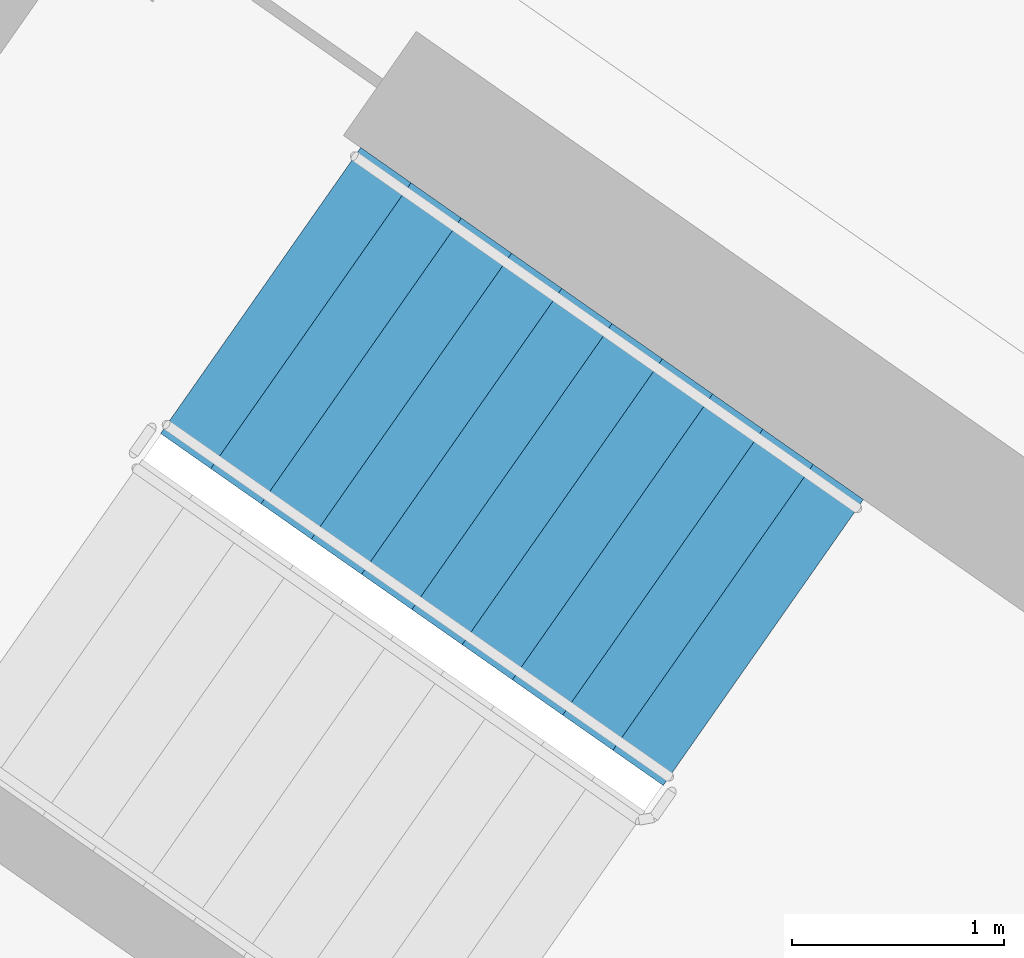
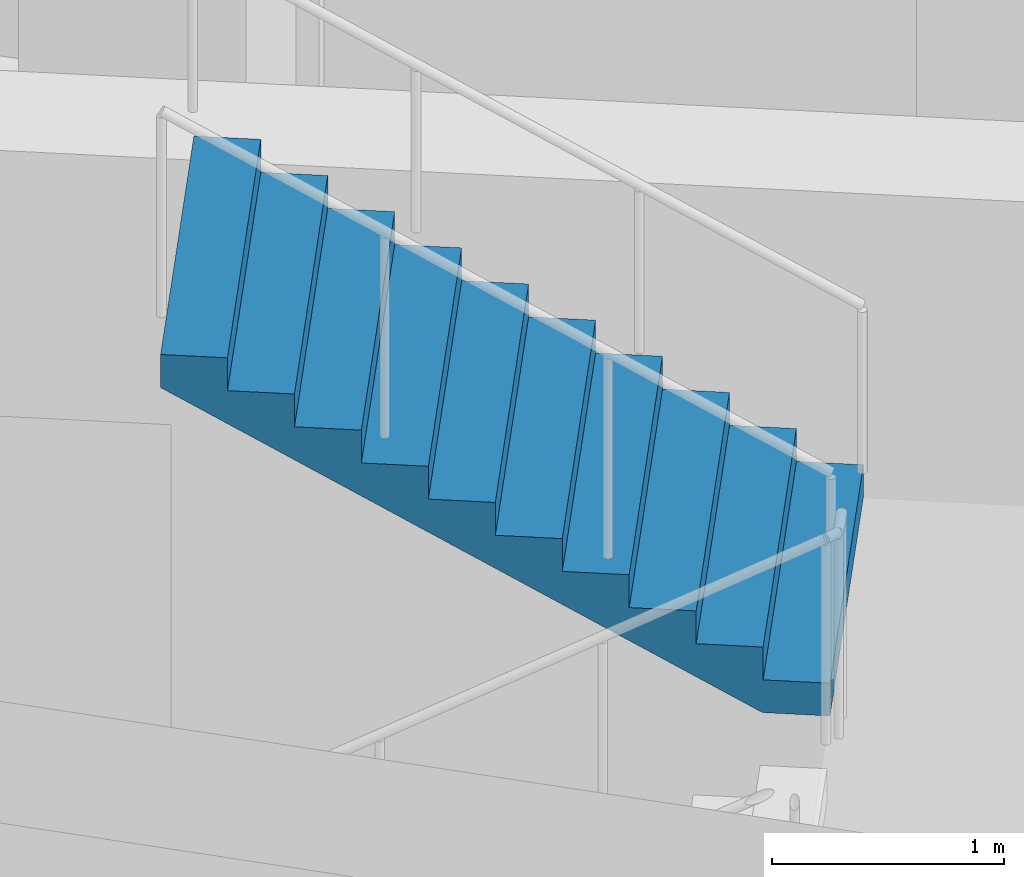
# One storey, part 13 of 28: 1 stair flight, 1 element without a shape of its own.
"""IFC4 building model written with IfcOpenShell, lengths in metres."""

from ifc_helpers import new_model, si_unit, direction, frame, origin, place, context, subcontext, project, spatial, faceted_brep, material, type_object, element, aggregate, save


model = new_model("IFC4")

# Units and contexts
model_context = context("Model", 3, precision=1e-05, world=origin(), true_north=direction((0.0, 1.0)))
body_context = subcontext(model_context, "Body", "Model", "MODEL_VIEW")
ifc_project = project(units=[si_unit("LENGTHUNIT", "METRE"), si_unit("AREAUNIT", "SQUARE_METRE"), si_unit("VOLUMEUNIT", "CUBIC_METRE"), si_unit("PLANEANGLEUNIT", "RADIAN"), si_unit("MASSUNIT", "GRAM", prefix="KILO")], contexts=[model_context])

# Site, building, storey
site_placement = place(None, origin())
site = spatial("IfcSite", under=ifc_project, at=site_placement, CompositionType="ELEMENT")
building_placement = place(site_placement, origin())
building = spatial("IfcBuilding", under=site, at=building_placement, Name="Qamariyya Broadcast Tower", CompositionType="ELEMENT")
storey_placement = place(building_placement, frame((0.0, 0.0, 215.10009765625)))
storey = spatial("IfcBuildingStorey", under=building, at=storey_placement, Name="L51", CompositionType="ELEMENT", Elevation=215.10009765625)

# Stair, stair flight
ifc_material = material(Name="Concrete C50/60", Category="concrete")
stair_type = type_object("IfcStairType", Name="Exit stair 22 risers of 173 mm", PredefinedType="HALF_TURN_STAIR", material=ifc_material)
stair_placement = place(storey_placement, origin())
stair = element("IfcStair", 1, at=stair_placement, inside=storey, type_object=stair_type, Name="L51 Stair W2", PredefinedType="HALF_TURN_STAIR")
stair_flight_type = type_object("IfcStairFlightType", Name="Exit stair flight 11 risers of 173 mm", PredefinedType="STRAIGHT", material=ifc_material)
stair_flight_placement = place(storey_placement, frame((-38.18310546875, -49.3486328125, 1.89990234375), z_axis=(0.0, 0.0, 1.0), x_axis=(-0.819152044289, 0.573576436351, 0.0)))
stair_flight = element("IfcStairFlight", 2, at=stair_flight_placement, type_object=stair_flight_type, Name="ST-W2 flight 2", NumberOfRisers=11, NumberOfTreads=10, PredefinedType="STRAIGHT", RiserHeight=0.172727273, TreadLength=0.29, context=body_context, shape_type="Brep", body=[
    faceted_brep([(0.0, 0.824951171875, 0.0), (0.0, 0.824951171875, 0.172607421875), (0.2900390625, 0.824951171875, 0.172607421875), (0.2900390625, 0.824951171875, 0.345458984375), (0.580078125, 0.824951171875, 0.345458984375), (0.580078125, 0.824951171875, 0.51806640625), (0.8701171875, 0.824951171875, 0.51806640625), (0.8701171875, 0.824951171875, 0.69091796875), (1.159912109375, 0.824951171875, 0.69091796875), (1.159912109375, 0.824951171875, 0.863525390625), (1.449951171875, 0.824951171875, 0.863525390625), (1.449951171875, 0.824951171875, 1.036376953125), (1.739990234375, 0.824951171875, 1.036376953125), (1.739990234375, 0.824951171875, 1.208984375), (2.030029296875, 0.824951171875, 1.208984375), (2.030029296875, 0.824951171875, 1.3818359375), (2.320068359375, 0.824951171875, 1.3818359375), (2.320068359375, 0.824951171875, 1.554443359375), (2.610107421875, 0.824951171875, 1.554443359375), (2.610107421875, 0.824951171875, 1.727294921875), (2.89990234375, 0.824951171875, 1.727294921875), (2.89990234375, 0.824951171875, 1.552734375), (0.29296875, 0.824951171875, 0.0), (0.29296875, -0.824951171875, 0.0), (2.89990234375, -0.824951171875, 1.552734375), (2.89990234375, -0.824951171875, 1.727294921875), (2.610107421875, -0.824951171875, 1.727294921875), (2.610107421875, -0.824951171875, 1.554443359375), (2.320068359375, -0.824951171875, 1.554443359375), (2.320068359375, -0.824951171875, 1.3818359375), (2.030029296875, -0.824951171875, 1.3818359375), (2.030029296875, -0.824951171875, 1.208984375), (1.739990234375, -0.824951171875, 1.208984375), (1.739990234375, -0.824951171875, 1.036376953125), (1.449951171875, -0.824951171875, 1.036376953125), (1.449951171875, -0.824951171875, 0.863525390625), (1.159912109375, -0.824951171875, 0.863525390625), (1.159912109375, -0.824951171875, 0.69091796875), (0.8701171875, -0.824951171875, 0.69091796875), (0.8701171875, -0.824951171875, 0.51806640625), (0.580078125, -0.824951171875, 0.51806640625), (0.580078125, -0.824951171875, 0.345458984375), (0.2900390625, -0.824951171875, 0.345458984375), (0.2900390625, -0.824951171875, 0.172607421875), (0.0, -0.824951171875, 0.172607421875), (0.0, -0.824951171875, 0.0), (0.0, 0.10009765625, 0.0), (0.0, 0.086669921875, 0.0), (0.0, 0.0732421875, 0.0), (0.0, 0.06005859375, 0.0), (0.0, 0.046630859375, 0.0), (0.0, 0.033447265625, 0.0), (0.0, 0.02001953125, 0.0), (0.0, 0.006591796875, 0.0), (0.0, -0.006591796875, 0.0), (0.0, -0.02001953125, 0.0), (0.0, -0.033447265625, 0.0), (0.0, -0.046630859375, 0.0), (0.0, -0.06005859375, 0.0), (0.0, -0.0732421875, 0.0), (0.0, -0.086669921875, 0.0), (0.0, -0.10009765625, 0.0), (0.0, -0.10009765625, 0.172607421875), (0.0, -0.086669921875, 0.172607421875), (0.0, -0.0732421875, 0.172607421875), (0.0, -0.06005859375, 0.172607421875), (0.0, -0.046630859375, 0.172607421875), (0.0, -0.033447265625, 0.172607421875), (0.0, -0.02001953125, 0.172607421875), (0.0, -0.006591796875, 0.172607421875), (0.0, 0.006591796875, 0.172607421875), (0.0, 0.02001953125, 0.172607421875), (0.0, 0.033447265625, 0.172607421875), (0.0, 0.046630859375, 0.172607421875), (0.0, 0.06005859375, 0.172607421875), (0.0, 0.0732421875, 0.172607421875), (0.0, 0.086669921875, 0.172607421875), (0.0, 0.10009765625, 0.172607421875), (0.2900390625, -0.10009765625, 0.172607421875), (0.2900390625, -0.086669921875, 0.172607421875), (0.2900390625, -0.0732421875, 0.172607421875), (0.2900390625, -0.06005859375, 0.172607421875), (0.2900390625, -0.046630859375, 0.172607421875), (0.2900390625, -0.033447265625, 0.172607421875), (0.2900390625, -0.02001953125, 0.172607421875), (0.2900390625, -0.006591796875, 0.172607421875), (0.2900390625, 0.006591796875, 0.172607421875), (0.2900390625, 0.02001953125, 0.172607421875), (0.2900390625, 0.033447265625, 0.172607421875), (0.2900390625, 0.046630859375, 0.172607421875), (0.2900390625, 0.06005859375, 0.172607421875), (0.2900390625, 0.0732421875, 0.172607421875), (0.2900390625, 0.086669921875, 0.172607421875), (0.2900390625, 0.10009765625, 0.172607421875), (0.2900390625, -0.10009765625, 0.345458984375), (0.2900390625, -0.086669921875, 0.345458984375), (0.2900390625, -0.0732421875, 0.345458984375), (0.2900390625, -0.06005859375, 0.345458984375), (0.2900390625, -0.046630859375, 0.345458984375), (0.2900390625, -0.033447265625, 0.345458984375), (0.2900390625, -0.02001953125, 0.345458984375), (0.2900390625, -0.006591796875, 0.345458984375), (0.2900390625, 0.006591796875, 0.345458984375), (0.2900390625, 0.02001953125, 0.345458984375), (0.2900390625, 0.033447265625, 0.345458984375), (0.2900390625, 0.046630859375, 0.345458984375), (0.2900390625, 0.06005859375, 0.345458984375), (0.2900390625, 0.0732421875, 0.345458984375), (0.2900390625, 0.086669921875, 0.345458984375), (0.2900390625, 0.10009765625, 0.345458984375), (0.580078125, -0.10009765625, 0.345458984375), (0.580078125, -0.086669921875, 0.345458984375), (0.580078125, -0.0732421875, 0.345458984375), (0.580078125, -0.06005859375, 0.345458984375), (0.580078125, -0.046630859375, 0.345458984375), (0.580078125, -0.033447265625, 0.345458984375), (0.580078125, -0.02001953125, 0.345458984375), (0.580078125, -0.006591796875, 0.345458984375), (0.580078125, 0.006591796875, 0.345458984375), (0.580078125, 0.02001953125, 0.345458984375), (0.580078125, 0.033447265625, 0.345458984375), (0.580078125, 0.046630859375, 0.345458984375), (0.580078125, 0.06005859375, 0.345458984375), (0.580078125, 0.0732421875, 0.345458984375), (0.580078125, 0.086669921875, 0.345458984375), (0.580078125, 0.10009765625, 0.345458984375), (0.580078125, -0.10009765625, 0.51806640625), (0.580078125, -0.086669921875, 0.51806640625), (0.580078125, -0.0732421875, 0.51806640625), (0.580078125, -0.06005859375, 0.51806640625), (0.580078125, -0.046630859375, 0.51806640625), (0.580078125, -0.033447265625, 0.51806640625), (0.580078125, -0.02001953125, 0.51806640625), (0.580078125, -0.006591796875, 0.51806640625), (0.580078125, 0.006591796875, 0.51806640625), (0.580078125, 0.02001953125, 0.51806640625), (0.580078125, 0.033447265625, 0.51806640625), (0.580078125, 0.046630859375, 0.51806640625), (0.580078125, 0.06005859375, 0.51806640625), (0.580078125, 0.0732421875, 0.51806640625), (0.580078125, 0.086669921875, 0.51806640625), (0.580078125, 0.10009765625, 0.51806640625), (0.8701171875, -0.10009765625, 0.51806640625), (0.8701171875, -0.086669921875, 0.51806640625), (0.8701171875, -0.0732421875, 0.51806640625), (0.8701171875, -0.06005859375, 0.51806640625), (0.8701171875, -0.046630859375, 0.51806640625), (0.8701171875, -0.033447265625, 0.51806640625), (0.8701171875, -0.02001953125, 0.51806640625), (0.8701171875, -0.006591796875, 0.51806640625), (0.8701171875, 0.006591796875, 0.51806640625), (0.8701171875, 0.02001953125, 0.51806640625), (0.8701171875, 0.033447265625, 0.51806640625), (0.8701171875, 0.046630859375, 0.51806640625), (0.8701171875, 0.06005859375, 0.51806640625), (0.8701171875, 0.0732421875, 0.51806640625), (0.8701171875, 0.086669921875, 0.51806640625), (0.8701171875, 0.10009765625, 0.51806640625), (0.8701171875, -0.10009765625, 0.69091796875), (0.8701171875, -0.086669921875, 0.69091796875), (0.8701171875, -0.0732421875, 0.69091796875), (0.8701171875, -0.06005859375, 0.69091796875), (0.8701171875, -0.046630859375, 0.69091796875), (0.8701171875, -0.033447265625, 0.69091796875), (0.8701171875, -0.02001953125, 0.69091796875), (0.8701171875, -0.006591796875, 0.69091796875), (0.8701171875, 0.006591796875, 0.69091796875), (0.8701171875, 0.02001953125, 0.69091796875), (0.8701171875, 0.033447265625, 0.69091796875), (0.8701171875, 0.046630859375, 0.69091796875), (0.8701171875, 0.06005859375, 0.69091796875), (0.8701171875, 0.0732421875, 0.69091796875), (0.8701171875, 0.086669921875, 0.69091796875), (0.8701171875, 0.10009765625, 0.69091796875), (1.159912109375, -0.10009765625, 0.69091796875), (1.159912109375, -0.086669921875, 0.69091796875), (1.159912109375, -0.0732421875, 0.69091796875), (1.159912109375, -0.06005859375, 0.69091796875), (1.159912109375, -0.046630859375, 0.69091796875), (1.159912109375, -0.033447265625, 0.69091796875), (1.159912109375, -0.02001953125, 0.69091796875), (1.159912109375, -0.006591796875, 0.69091796875), (1.159912109375, 0.006591796875, 0.69091796875), (1.159912109375, 0.02001953125, 0.69091796875), (1.159912109375, 0.033447265625, 0.69091796875), (1.159912109375, 0.046630859375, 0.69091796875), (1.159912109375, 0.06005859375, 0.69091796875), (1.159912109375, 0.0732421875, 0.69091796875), (1.159912109375, 0.086669921875, 0.69091796875), (1.159912109375, 0.10009765625, 0.69091796875), (1.159912109375, -0.10009765625, 0.863525390625), (1.159912109375, -0.086669921875, 0.863525390625), (1.159912109375, -0.0732421875, 0.863525390625), (1.159912109375, -0.06005859375, 0.863525390625), (1.159912109375, -0.046630859375, 0.863525390625), (1.159912109375, -0.033447265625, 0.863525390625), (1.159912109375, -0.02001953125, 0.863525390625), (1.159912109375, -0.006591796875, 0.863525390625), (1.159912109375, 0.006591796875, 0.863525390625), (1.159912109375, 0.02001953125, 0.863525390625), (1.159912109375, 0.033447265625, 0.863525390625), (1.159912109375, 0.046630859375, 0.863525390625), (1.159912109375, 0.06005859375, 0.863525390625), (1.159912109375, 0.0732421875, 0.863525390625), (1.159912109375, 0.086669921875, 0.863525390625), (1.159912109375, 0.10009765625, 0.863525390625), (1.449951171875, -0.10009765625, 0.863525390625), (1.449951171875, -0.086669921875, 0.863525390625), (1.449951171875, -0.0732421875, 0.863525390625), (1.449951171875, -0.06005859375, 0.863525390625), (1.449951171875, -0.046630859375, 0.863525390625), (1.449951171875, -0.033447265625, 0.863525390625), (1.449951171875, -0.02001953125, 0.863525390625), (1.449951171875, -0.006591796875, 0.863525390625), (1.449951171875, 0.006591796875, 0.863525390625), (1.449951171875, 0.02001953125, 0.863525390625), (1.449951171875, 0.033447265625, 0.863525390625), (1.449951171875, 0.046630859375, 0.863525390625), (1.449951171875, 0.06005859375, 0.863525390625), (1.449951171875, 0.0732421875, 0.863525390625), (1.449951171875, 0.086669921875, 0.863525390625), (1.449951171875, 0.10009765625, 0.863525390625), (1.449951171875, -0.10009765625, 1.036376953125), (1.449951171875, -0.086669921875, 1.036376953125), (1.449951171875, -0.0732421875, 1.036376953125), (1.449951171875, -0.06005859375, 1.036376953125), (1.449951171875, -0.046630859375, 1.036376953125), (1.449951171875, -0.033447265625, 1.036376953125), (1.449951171875, -0.02001953125, 1.036376953125), (1.449951171875, -0.006591796875, 1.036376953125), (1.449951171875, 0.006591796875, 1.036376953125), (1.449951171875, 0.02001953125, 1.036376953125), (1.449951171875, 0.033447265625, 1.036376953125), (1.449951171875, 0.046630859375, 1.036376953125), (1.449951171875, 0.06005859375, 1.036376953125), (1.449951171875, 0.0732421875, 1.036376953125), (1.449951171875, 0.086669921875, 1.036376953125), (1.449951171875, 0.10009765625, 1.036376953125), (1.739990234375, -0.10009765625, 1.036376953125), (1.739990234375, -0.086669921875, 1.036376953125), (1.739990234375, -0.0732421875, 1.036376953125), (1.739990234375, -0.06005859375, 1.036376953125), (1.739990234375, -0.046630859375, 1.036376953125), (1.739990234375, -0.033447265625, 1.036376953125), (1.739990234375, -0.02001953125, 1.036376953125), (1.739990234375, -0.006591796875, 1.036376953125), (1.739990234375, 0.006591796875, 1.036376953125), (1.739990234375, 0.02001953125, 1.036376953125), (1.739990234375, 0.033447265625, 1.036376953125), (1.739990234375, 0.046630859375, 1.036376953125), (1.739990234375, 0.06005859375, 1.036376953125), (1.739990234375, 0.0732421875, 1.036376953125), (1.739990234375, 0.086669921875, 1.036376953125), (1.739990234375, 0.10009765625, 1.036376953125), (1.739990234375, -0.10009765625, 1.208984375), (1.739990234375, -0.086669921875, 1.208984375), (1.739990234375, -0.0732421875, 1.208984375), (1.739990234375, -0.06005859375, 1.208984375), (1.739990234375, -0.046630859375, 1.208984375), (1.739990234375, -0.033447265625, 1.208984375), (1.739990234375, -0.02001953125, 1.208984375), (1.739990234375, -0.006591796875, 1.208984375), (1.739990234375, 0.006591796875, 1.208984375), (1.739990234375, 0.02001953125, 1.208984375), (1.739990234375, 0.033447265625, 1.208984375), (1.739990234375, 0.046630859375, 1.208984375), (1.739990234375, 0.06005859375, 1.208984375), (1.739990234375, 0.0732421875, 1.208984375), (1.739990234375, 0.086669921875, 1.208984375), (1.739990234375, 0.10009765625, 1.208984375), (2.030029296875, -0.10009765625, 1.208984375), (2.030029296875, -0.086669921875, 1.208984375), (2.030029296875, -0.0732421875, 1.208984375), (2.030029296875, -0.06005859375, 1.208984375), (2.030029296875, -0.046630859375, 1.208984375), (2.030029296875, -0.033447265625, 1.208984375), (2.030029296875, -0.02001953125, 1.208984375), (2.030029296875, -0.006591796875, 1.208984375), (2.030029296875, 0.006591796875, 1.208984375), (2.030029296875, 0.02001953125, 1.208984375), (2.030029296875, 0.033447265625, 1.208984375), (2.030029296875, 0.046630859375, 1.208984375), (2.030029296875, 0.06005859375, 1.208984375), (2.030029296875, 0.0732421875, 1.208984375), (2.030029296875, 0.086669921875, 1.208984375), (2.030029296875, 0.10009765625, 1.208984375), (2.030029296875, -0.10009765625, 1.3818359375), (2.030029296875, -0.086669921875, 1.3818359375), (2.030029296875, -0.0732421875, 1.3818359375), (2.030029296875, -0.06005859375, 1.3818359375), (2.030029296875, -0.046630859375, 1.3818359375), (2.030029296875, -0.033447265625, 1.3818359375), (2.030029296875, -0.02001953125, 1.3818359375), (2.030029296875, -0.006591796875, 1.3818359375), (2.030029296875, 0.006591796875, 1.3818359375), (2.030029296875, 0.02001953125, 1.3818359375), (2.030029296875, 0.033447265625, 1.3818359375), (2.030029296875, 0.046630859375, 1.3818359375), (2.030029296875, 0.06005859375, 1.3818359375), (2.030029296875, 0.0732421875, 1.3818359375), (2.030029296875, 0.086669921875, 1.3818359375), (2.030029296875, 0.10009765625, 1.3818359375), (2.320068359375, -0.10009765625, 1.3818359375), (2.320068359375, -0.086669921875, 1.3818359375), (2.320068359375, -0.0732421875, 1.3818359375), (2.320068359375, -0.06005859375, 1.3818359375), (2.320068359375, -0.046630859375, 1.3818359375), (2.320068359375, -0.033447265625, 1.3818359375), (2.320068359375, -0.02001953125, 1.3818359375), (2.320068359375, -0.006591796875, 1.3818359375), (2.320068359375, 0.006591796875, 1.3818359375), (2.320068359375, 0.02001953125, 1.3818359375), (2.320068359375, 0.033447265625, 1.3818359375), (2.320068359375, 0.046630859375, 1.3818359375), (2.320068359375, 0.06005859375, 1.3818359375), (2.320068359375, 0.0732421875, 1.3818359375), (2.320068359375, 0.086669921875, 1.3818359375), (2.320068359375, 0.10009765625, 1.3818359375), (2.320068359375, -0.10009765625, 1.554443359375), (2.320068359375, -0.086669921875, 1.554443359375), (2.320068359375, -0.0732421875, 1.554443359375), (2.320068359375, -0.06005859375, 1.554443359375), (2.320068359375, -0.046630859375, 1.554443359375), (2.320068359375, -0.033447265625, 1.554443359375), (2.320068359375, -0.02001953125, 1.554443359375), (2.320068359375, -0.006591796875, 1.554443359375), (2.320068359375, 0.006591796875, 1.554443359375), (2.320068359375, 0.02001953125, 1.554443359375), (2.320068359375, 0.033447265625, 1.554443359375), (2.320068359375, 0.046630859375, 1.554443359375), (2.320068359375, 0.06005859375, 1.554443359375), (2.320068359375, 0.0732421875, 1.554443359375), (2.320068359375, 0.086669921875, 1.554443359375), (2.320068359375, 0.10009765625, 1.554443359375), (2.610107421875, -0.10009765625, 1.554443359375), (2.610107421875, -0.086669921875, 1.554443359375), (2.610107421875, -0.0732421875, 1.554443359375), (2.610107421875, -0.06005859375, 1.554443359375), (2.610107421875, -0.046630859375, 1.554443359375), (2.610107421875, -0.033447265625, 1.554443359375), (2.610107421875, -0.02001953125, 1.554443359375), (2.610107421875, -0.006591796875, 1.554443359375), (2.610107421875, 0.006591796875, 1.554443359375), (2.610107421875, 0.02001953125, 1.554443359375), (2.610107421875, 0.033447265625, 1.554443359375), (2.610107421875, 0.046630859375, 1.554443359375), (2.610107421875, 0.06005859375, 1.554443359375), (2.610107421875, 0.0732421875, 1.554443359375), (2.610107421875, 0.086669921875, 1.554443359375), (2.610107421875, 0.10009765625, 1.554443359375), (2.610107421875, -0.10009765625, 1.727294921875), (2.610107421875, -0.086669921875, 1.727294921875), (2.610107421875, -0.0732421875, 1.727294921875), (2.610107421875, -0.06005859375, 1.727294921875), (2.610107421875, -0.046630859375, 1.727294921875), (2.610107421875, -0.033447265625, 1.727294921875), (2.610107421875, -0.02001953125, 1.727294921875), (2.610107421875, -0.006591796875, 1.727294921875), (2.610107421875, 0.006591796875, 1.727294921875), (2.610107421875, 0.02001953125, 1.727294921875), (2.610107421875, 0.033447265625, 1.727294921875), (2.610107421875, 0.046630859375, 1.727294921875), (2.610107421875, 0.06005859375, 1.727294921875), (2.610107421875, 0.0732421875, 1.727294921875), (2.610107421875, 0.086669921875, 1.727294921875), (2.610107421875, 0.10009765625, 1.727294921875), (2.89990234375, -0.10009765625, 1.727294921875), (2.89990234375, -0.086669921875, 1.727294921875), (2.89990234375, -0.0732421875, 1.727294921875), (2.89990234375, -0.06005859375, 1.727294921875), (2.89990234375, -0.046630859375, 1.727294921875), (2.89990234375, -0.033447265625, 1.727294921875), (2.89990234375, -0.02001953125, 1.727294921875), (2.89990234375, -0.006591796875, 1.727294921875), (2.89990234375, 0.006591796875, 1.727294921875), (2.89990234375, 0.02001953125, 1.727294921875), (2.89990234375, 0.033447265625, 1.727294921875), (2.89990234375, 0.046630859375, 1.727294921875), (2.89990234375, 0.06005859375, 1.727294921875), (2.89990234375, 0.0732421875, 1.727294921875), (2.89990234375, 0.086669921875, 1.727294921875), (2.89990234375, 0.10009765625, 1.727294921875), (2.89990234375, -0.10009765625, 1.552734375), (2.89990234375, -0.086669921875, 1.552734375), (2.89990234375, -0.0732421875, 1.552734375), (2.89990234375, -0.06005859375, 1.552734375), (2.89990234375, -0.046630859375, 1.552734375), (2.89990234375, -0.033447265625, 1.552734375), (2.89990234375, -0.02001953125, 1.552734375), (2.89990234375, -0.006591796875, 1.552734375), (2.89990234375, 0.006591796875, 1.552734375), (2.89990234375, 0.02001953125, 1.552734375), (2.89990234375, 0.033447265625, 1.552734375), (2.89990234375, 0.046630859375, 1.552734375), (2.89990234375, 0.06005859375, 1.552734375), (2.89990234375, 0.0732421875, 1.552734375), (2.89990234375, 0.086669921875, 1.552734375), (2.89990234375, 0.10009765625, 1.552734375), (0.29296875, -0.10009765625, 0.0), (0.29296875, -0.086669921875, 0.0), (0.29296875, -0.0732421875, 0.0), (0.29296875, -0.06005859375, 0.0), (0.29296875, -0.046630859375, 0.0), (0.29296875, -0.033447265625, 0.0), (0.29296875, -0.02001953125, 0.0), (0.29296875, -0.006591796875, 0.0), (0.29296875, 0.006591796875, 0.0), (0.29296875, 0.02001953125, 0.0), (0.29296875, 0.033447265625, 0.0), (0.29296875, 0.046630859375, 0.0), (0.29296875, 0.06005859375, 0.0), (0.29296875, 0.0732421875, 0.0), (0.29296875, 0.086669921875, 0.0), (0.29296875, 0.10009765625, 0.0)], [[[0, 1, 2, 3, 4, 5, 6, 7, 8, 9, 10, 11, 12, 13, 14, 15, 16, 17, 18, 19, 20, 21, 22]], [[23, 24, 25, 26, 27, 28, 29, 30, 31, 32, 33, 34, 35, 36, 37, 38, 39, 40, 41, 42, 43, 44, 45]], [[0, 46, 47, 48, 49, 50, 51, 52, 53, 54, 55, 56, 57, 58, 59, 60, 61, 45, 44, 62, 63, 64, 65, 66, 67, 68, 69, 70, 71, 72, 73, 74, 75, 76, 77, 1]], [[1, 77, 76, 75, 74, 73, 72, 71, 70, 69, 68, 67, 66, 65, 64, 63, 62, 44, 43, 78, 79, 80, 81, 82, 83, 84, 85, 86, 87, 88, 89, 90, 91, 92, 93, 2]], [[2, 93, 92, 91, 90, 89, 88, 87, 86, 85, 84, 83, 82, 81, 80, 79, 78, 43, 42, 94, 95, 96, 97, 98, 99, 100, 101, 102, 103, 104, 105, 106, 107, 108, 109, 3]], [[3, 109, 108, 107, 106, 105, 104, 103, 102, 101, 100, 99, 98, 97, 96, 95, 94, 42, 41, 110, 111, 112, 113, 114, 115, 116, 117, 118, 119, 120, 121, 122, 123, 124, 125, 4]], [[4, 125, 124, 123, 122, 121, 120, 119, 118, 117, 116, 115, 114, 113, 112, 111, 110, 41, 40, 126, 127, 128, 129, 130, 131, 132, 133, 134, 135, 136, 137, 138, 139, 140, 141, 5]], [[5, 141, 140, 139, 138, 137, 136, 135, 134, 133, 132, 131, 130, 129, 128, 127, 126, 40, 39, 142, 143, 144, 145, 146, 147, 148, 149, 150, 151, 152, 153, 154, 155, 156, 157, 6]], [[6, 157, 156, 155, 154, 153, 152, 151, 150, 149, 148, 147, 146, 145, 144, 143, 142, 39, 38, 158, 159, 160, 161, 162, 163, 164, 165, 166, 167, 168, 169, 170, 171, 172, 173, 7]], [[7, 173, 172, 171, 170, 169, 168, 167, 166, 165, 164, 163, 162, 161, 160, 159, 158, 38, 37, 174, 175, 176, 177, 178, 179, 180, 181, 182, 183, 184, 185, 186, 187, 188, 189, 8]], [[8, 189, 188, 187, 186, 185, 184, 183, 182, 181, 180, 179, 178, 177, 176, 175, 174, 37, 36, 190, 191, 192, 193, 194, 195, 196, 197, 198, 199, 200, 201, 202, 203, 204, 205, 9]], [[9, 205, 204, 203, 202, 201, 200, 199, 198, 197, 196, 195, 194, 193, 192, 191, 190, 36, 35, 206, 207, 208, 209, 210, 211, 212, 213, 214, 215, 216, 217, 218, 219, 220, 221, 10]], [[10, 221, 220, 219, 218, 217, 216, 215, 214, 213, 212, 211, 210, 209, 208, 207, 206, 35, 34, 222, 223, 224, 225, 226, 227, 228, 229, 230, 231, 232, 233, 234, 235, 236, 237, 11]], [[11, 237, 236, 235, 234, 233, 232, 231, 230, 229, 228, 227, 226, 225, 224, 223, 222, 34, 33, 238, 239, 240, 241, 242, 243, 244, 245, 246, 247, 248, 249, 250, 251, 252, 253, 12]], [[12, 253, 252, 251, 250, 249, 248, 247, 246, 245, 244, 243, 242, 241, 240, 239, 238, 33, 32, 254, 255, 256, 257, 258, 259, 260, 261, 262, 263, 264, 265, 266, 267, 268, 269, 13]], [[13, 269, 268, 267, 266, 265, 264, 263, 262, 261, 260, 259, 258, 257, 256, 255, 254, 32, 31, 270, 271, 272, 273, 274, 275, 276, 277, 278, 279, 280, 281, 282, 283, 284, 285, 14]], [[14, 285, 284, 283, 282, 281, 280, 279, 278, 277, 276, 275, 274, 273, 272, 271, 270, 31, 30, 286, 287, 288, 289, 290, 291, 292, 293, 294, 295, 296, 297, 298, 299, 300, 301, 15]], [[15, 301, 300, 299, 298, 297, 296, 295, 294, 293, 292, 291, 290, 289, 288, 287, 286, 30, 29, 302, 303, 304, 305, 306, 307, 308, 309, 310, 311, 312, 313, 314, 315, 316, 317, 16]], [[16, 317, 316, 315, 314, 313, 312, 311, 310, 309, 308, 307, 306, 305, 304, 303, 302, 29, 28, 318, 319, 320, 321, 322, 323, 324, 325, 326, 327, 328, 329, 330, 331, 332, 333, 17]], [[17, 333, 332, 331, 330, 329, 328, 327, 326, 325, 324, 323, 322, 321, 320, 319, 318, 28, 27, 334, 335, 336, 337, 338, 339, 340, 341, 342, 343, 344, 345, 346, 347, 348, 349, 18]], [[18, 349, 348, 347, 346, 345, 344, 343, 342, 341, 340, 339, 338, 337, 336, 335, 334, 27, 26, 350, 351, 352, 353, 354, 355, 356, 357, 358, 359, 360, 361, 362, 363, 364, 365, 19]], [[19, 365, 364, 363, 362, 361, 360, 359, 358, 357, 356, 355, 354, 353, 352, 351, 350, 26, 25, 366, 367, 368, 369, 370, 371, 372, 373, 374, 375, 376, 377, 378, 379, 380, 381, 20]], [[20, 381, 380, 379, 378, 377, 376, 375, 374, 373, 372, 371, 370, 369, 368, 367, 366, 25, 24, 382, 383, 384, 385, 386, 387, 388, 389, 390, 391, 392, 393, 394, 395, 396, 397, 21]], [[21, 397, 396, 395, 394, 393, 392, 391, 390, 389, 388, 387, 386, 385, 384, 383, 382, 24, 23, 398, 399, 400, 401, 402, 403, 404, 405, 406, 407, 408, 409, 410, 411, 412, 413, 22]], [[22, 413, 412, 411, 410, 409, 408, 407, 406, 405, 404, 403, 402, 401, 400, 399, 398, 23, 45, 61, 60, 59, 58, 57, 56, 55, 54, 53, 52, 51, 50, 49, 48, 47, 46, 0]]]),
])
aggregate(stair, [stair_flight])

save(model, "model.ifc")
